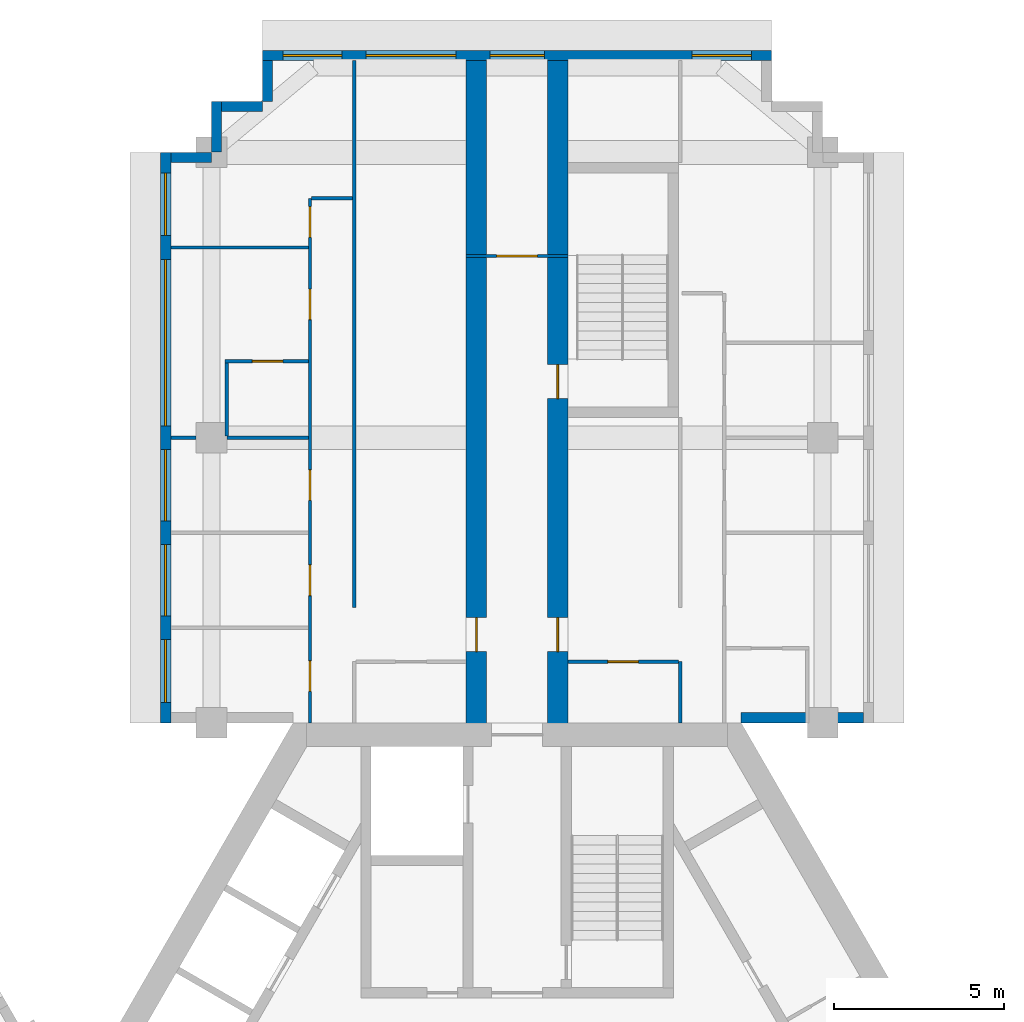
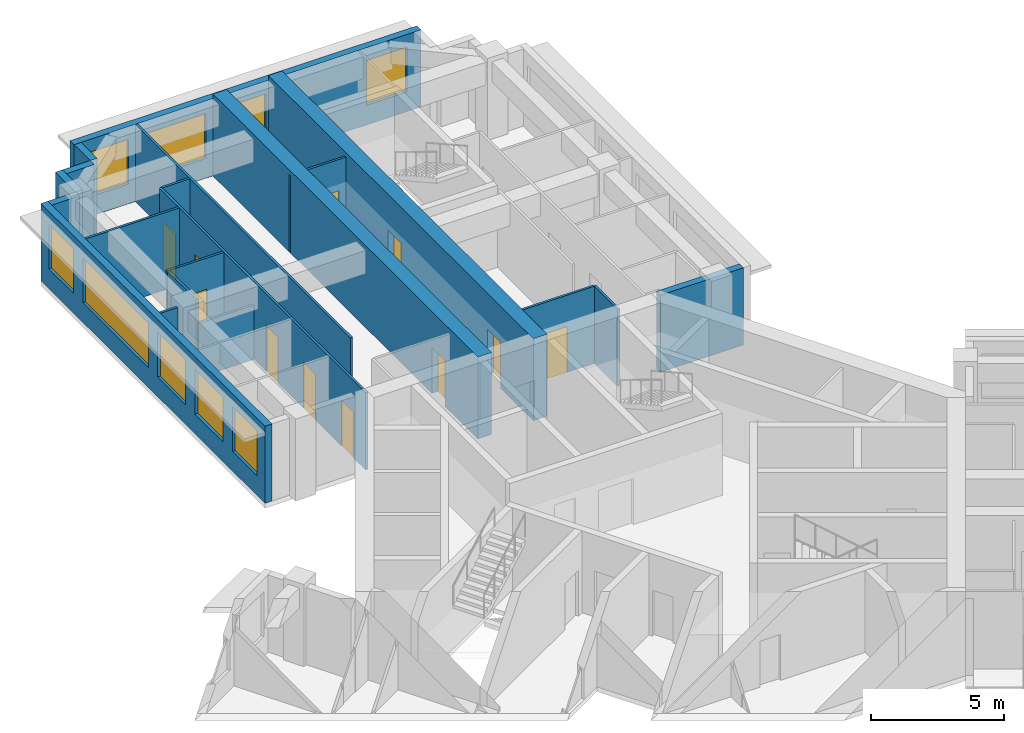
# One storey, part 7 of 10: 20 walls, 11 doors, 9 windows, 20 openings.
"""IFC4 building model written with IfcOpenShell, lengths in metres."""

from ifc_helpers import new_model, si_unit, direction, frame, frame_2d, origin, place, context, subcontext, project, spatial, rectangle, extrude, material, layer, layer_set, type_object, element, fill, save


model = new_model("IFC4")

# Units and contexts
model_context = context("Model", 3, precision=1e-05, world=origin(), true_north=direction((0.0, 1.0)))
body_context = subcontext(model_context, "Body", "Model", "MODEL_VIEW")
ifc_project = project(units=[si_unit("LENGTHUNIT", "METRE"), si_unit("AREAUNIT", "SQUARE_METRE"), si_unit("VOLUMEUNIT", "CUBIC_METRE"), si_unit("PLANEANGLEUNIT", "RADIAN"), si_unit("MASSUNIT", "GRAM", prefix="KILO")], contexts=[model_context])

# Site, building, storey
site_placement = place(None, origin())
site = spatial("IfcSite", under=ifc_project, at=site_placement, CompositionType="ELEMENT")
building_placement = place(site_placement, origin())
building = spatial("IfcBuilding", under=site, at=building_placement, Name="Impinga Residences", CompositionType="ELEMENT")
storey_placement = place(building_placement, frame((0.0, 0.0, 256.0)))
storey = spatial("IfcBuildingStorey", under=building, at=storey_placement, Name="L64", CompositionType="ELEMENT", Elevation=256.0)

# Wall, opening, door
ifc_material_1 = material(Name="Concrete C60/75", Category="concrete")
ifc_layer_1 = layer(ifc_material_1, 0.60009765625)
ifc_layer_set_1 = layer_set([ifc_layer_1], Name="Concrete C60/75")
wall_type_1 = type_object("IfcWallType", Name="BW3 corridor buttress wall, L46 to L73 600", PredefinedType="SHEAR", material=ifc_layer_set_1)
wall_1_placement = place(storey_placement, frame((-1.199951171875, 11.08154296875, 0.0), z_axis=(0.0, 0.0, 1.0), x_axis=(0.0, 1.0, 0.0)))
wall_1 = element("IfcWall", 1, at=wall_1_placement, inside=storey, type_object=wall_type_1, Name="Corridor wall BW3 NC L64", PredefinedType="SHEAR", context=body_context, shape_type="SweptSolid", body=[
    extrude(rectangle(XDim=19.85009765625, YDim=0.60009765625, at=frame_2d((9.925048828125, 0.0))), origin(), (0.0, 0.0, 1.0), 3.75),
])
opening_1_placement = place(wall_1_placement, frame((2.449951171875, 0.0, 0.0)))
opening_1 = element("IfcOpeningElement", 2, at=opening_1_placement, cuts=wall_1, Name="Opening D1", PredefinedType="OPENING", context=body_context, shape_type="SweptSolid", body=[
    extrude(rectangle(XDim=1.0, YDim=2.10009765625, at=frame_2d((0.5, 1.050048828125))), frame((0.0, 0.31005859375, 0.0), z_axis=(0.0, -1.0, 0.0), x_axis=(1.0, 0.0, 0.0)), (0.0, 0.0, 1.0), 0.6201171875),
])
ifc_material_2 = material(Name="Timber door set", Category="wood")
door_type_1 = type_object("IfcDoorType", Name="D1 apartment entrance door 1000x2100", OperationType="SINGLE_SWING_LEFT", PredefinedType="DOOR", material=ifc_material_2)
door_1_placement = place(opening_1_placement, origin())
door_1 = element("IfcDoor", 3, at=door_1_placement, inside=storey, type_object=door_type_1, Name="Apartment L64-NA1 entrance", OperationType="SINGLE_SWING_LEFT", OverallHeight=2.10009765625, OverallWidth=1.0, PredefinedType="DOOR", context=body_context, shape_type="SweptSolid", body=[
    extrude(rectangle(XDim=1.0, YDim=2.10009765625, at=frame_2d((0.5, 1.050048828125))), frame((0.0, 0.02490234375, 0.0), z_axis=(0.0, -1.0, 0.0), x_axis=(1.0, 0.0, 0.0)), (0.0, 0.0, 1.0), 0.050048828125),
])
fill(opening_1, door_1)

# Wall, openings, doors
wall_2_placement = place(storey_placement, frame((1.199951171875, 11.08154296875, 0.0), z_axis=(0.0, 0.0, 1.0), x_axis=(0.0, 1.0, 0.0)))
wall_2 = element("IfcWall", 4, at=wall_2_placement, inside=storey, type_object=wall_type_1, Name="Corridor wall BW3 ND L64", PredefinedType="SHEAR", context=body_context, shape_type="SweptSolid", body=[
    extrude(rectangle(XDim=19.85009765625, YDim=0.60009765625, at=frame_2d((9.925048828125, 0.0))), origin(), (0.0, 0.0, 1.0), 3.75),
])
opening_2_placement = place(wall_2_placement, frame((9.89990234375, 0.0, 0.0)))
opening_2 = element("IfcOpeningElement", 5, at=opening_2_placement, cuts=wall_2, Name="Opening D5", PredefinedType="OPENING", context=body_context, shape_type="SweptSolid", body=[
    extrude(rectangle(XDim=1.0, YDim=2.10009765625, at=frame_2d((0.5, 1.050048828125))), frame((0.0, 0.31005859375, 0.0), z_axis=(0.0, -1.0, 0.0), x_axis=(1.0, 0.0, 0.0)), (0.0, 0.0, 1.0), 0.6201171875),
])
opening_3_placement = place(wall_2_placement, frame((2.449951171875, 0.0, 0.0)))
opening_3 = element("IfcOpeningElement", 6, at=opening_3_placement, cuts=wall_2, Name="Opening D1", PredefinedType="OPENING", context=body_context, shape_type="SweptSolid", body=[
    extrude(rectangle(XDim=1.0, YDim=2.10009765625, at=frame_2d((0.5, 1.050048828125))), frame((0.0, 0.31005859375, 0.0), z_axis=(0.0, -1.0, 0.0), x_axis=(1.0, 0.0, 0.0)), (0.0, 0.0, 1.0), 0.6201171875),
])
door_2_placement = place(opening_3_placement, origin())
door_2 = element("IfcDoor", 7, at=door_2_placement, inside=storey, type_object=door_type_1, Name="Apartment L64-NF1 entrance", OperationType="SINGLE_SWING_LEFT", OverallHeight=2.10009765625, OverallWidth=1.0, PredefinedType="DOOR", context=body_context, shape_type="SweptSolid", body=[
    extrude(rectangle(XDim=1.0, YDim=2.10009765625, at=frame_2d((0.5, 1.050048828125))), frame((0.0, 0.02490234375, 0.0), z_axis=(0.0, -1.0, 0.0), x_axis=(1.0, 0.0, 0.0)), (0.0, 0.0, 1.0), 0.050048828125),
])
fill(opening_3, door_2)
door_type_2 = type_object("IfcDoorType", Name="D5 stair door 1000x2100", OperationType="SINGLE_SWING_LEFT", PredefinedType="DOOR", material=ifc_material_2)
door_3_placement = place(opening_2_placement, origin())
door_3 = element("IfcDoor", 8, at=door_3_placement, inside=storey, type_object=door_type_2, Name="Wing stair door N", OperationType="SINGLE_SWING_RIGHT", OverallHeight=2.10009765625, OverallWidth=1.0, PredefinedType="DOOR", context=body_context, shape_type="SweptSolid", body=[
    extrude(rectangle(XDim=1.0, YDim=2.10009765625, at=frame_2d((0.5, 1.050048828125))), frame((0.0, 0.02490234375, 0.0), z_axis=(0.0, -1.0, 0.0), x_axis=(1.0, 0.0, 0.0)), (0.0, 0.0, 1.0), 0.050048828125),
])
fill(opening_2, door_3)

# Wall, opening, door
ifc_material_3 = material(Name="Concrete blockwork", Category="masonry")
ifc_layer_2 = layer(ifc_material_3, 0.10009765625)
ifc_layer_set_2 = layer_set([ifc_layer_2], Name="CP1 core room partition, blockwork 100")
wall_type_2 = type_object("IfcWallType", Name="CP1 core room partition, blockwork 100", PredefinedType="PARTITIONING", material=ifc_layer_set_2)
wall_3_placement = place(storey_placement, frame((-1.5, 25.181640625, 0.0), z_axis=(0.0, 0.0, 1.0), x_axis=(1.0, 0.0, 0.0)))
wall_3 = element("IfcWall", 9, at=wall_3_placement, inside=storey, type_object=wall_type_2, Name="Core room partition, blockwork L64:N:LNG", PredefinedType="PARTITIONING", context=body_context, shape_type="SweptSolid", body=[
    extrude(rectangle(XDim=3.0, YDim=0.10009765625, at=frame_2d((1.5, 0.0))), origin(), (0.0, 0.0, 1.0), 3.530029296875),
])
opening_4_placement = place(wall_3_placement, frame((0.89990234375, 0.0, 0.0)))
opening_4 = element("IfcOpeningElement", 10, at=opening_4_placement, cuts=wall_3, Name="Opening D3", PredefinedType="OPENING", context=body_context, shape_type="SweptSolid", body=[
    extrude(rectangle(XDim=1.199951171875, YDim=2.10009765625, at=frame_2d((0.60009765625, 1.050048828125))), frame((0.0, 0.06005859375, 0.0), z_axis=(0.0, -1.0, 0.0), x_axis=(1.0, 0.0, 0.0)), (0.0, 0.0, 1.0), 0.1201171875),
])
door_type_3 = type_object("IfcDoorType", Name="D3 room door, leaf and a half 1200x2100", OperationType="DOUBLE_SWING_LEFT", PredefinedType="DOOR", material=ifc_material_2)
door_4_placement = place(opening_4_placement, origin())
door_4 = element("IfcDoor", 11, at=door_4_placement, inside=storey, type_object=door_type_3, Name="Residents' lounge door N", OperationType="DOUBLE_SWING_LEFT", OverallHeight=2.10009765625, OverallWidth=1.199951171875, PredefinedType="DOOR", context=body_context, shape_type="SweptSolid", body=[
    extrude(rectangle(XDim=1.199951171875, YDim=2.10009765625, at=frame_2d((0.60009765625, 1.050048828125))), frame((0.0, 0.02490234375, 0.0), z_axis=(0.0, -1.0, 0.0), x_axis=(1.0, 0.0, 0.0)), (0.0, 0.0, 1.0), 0.050048828125),
])
fill(opening_4, door_4)

# Wall, openings, windows
ifc_material_4 = material(Name="Terracotta rainscreen on blockwork", Category="masonry")
ifc_layer_3 = layer(ifc_material_4, 0.300048828125)
ifc_layer_set_3 = layer_set([ifc_layer_3], Name="EW1 external wall, terracotta rainscreen on blockwork 300")
wall_type_3 = type_object("IfcWallType", Name="EW1 external wall, terracotta rainscreen on blockwork 300", PredefinedType="SOLIDWALL", material=ifc_layer_set_3)
wall_4_placement = place(storey_placement, frame((-10.35009765625, 11.431640625, 0.0), z_axis=(0.0, 0.0, 1.0), x_axis=(0.0, 1.0, 0.0)))
wall_4 = element("IfcWall", 12, at=wall_4_placement, inside=storey, type_object=wall_type_3, Name="External wall EW1 L64", PredefinedType="SOLIDWALL", context=body_context, shape_type="SweptSolid", body=[
    extrude(rectangle(XDim=16.7998046875, YDim=0.300048828125, at=frame_2d((8.39990234375, 0.0))), origin(), (0.0, 0.0, 1.0), 3.530029296875),
])
opening_5_placement = place(wall_4_placement, frame((0.60009765625, 0.0, 0.89990234375)))
opening_5 = element("IfcOpeningElement", 13, at=opening_5_placement, cuts=wall_4, Name="Opening W15", PredefinedType="OPENING", context=body_context, shape_type="SweptSolid", body=[
    extrude(rectangle(XDim=1.85009765625, YDim=2.050048828125, at=frame_2d((0.925048828125, 1.02490234375))), frame((0.0, 0.159912109375, 0.0), z_axis=(0.0, -1.0, 0.0), x_axis=(1.0, 0.0, 0.0)), (0.0, 0.0, 1.0), 0.320068359375),
])
opening_6_placement = place(wall_4_placement, frame((3.14990234375, 0.0, 0.89990234375)))
opening_6 = element("IfcOpeningElement", 14, at=opening_6_placement, cuts=wall_4, Name="Opening W9", PredefinedType="OPENING", context=body_context, shape_type="SweptSolid", body=[
    extrude(rectangle(XDim=2.10009765625, YDim=2.050048828125, at=frame_2d((1.050048828125, 1.02490234375))), frame((0.0, 0.159912109375, 0.0), z_axis=(0.0, -1.0, 0.0), x_axis=(1.0, 0.0, 0.0)), (0.0, 0.0, 1.0), 0.320068359375),
])
opening_7_placement = place(wall_4_placement, frame((5.949951171875, 0.0, 0.89990234375)))
opening_7 = element("IfcOpeningElement", 15, at=opening_7_placement, cuts=wall_4, Name="Opening W9", PredefinedType="OPENING", context=body_context, shape_type="SweptSolid", body=[
    extrude(rectangle(XDim=2.10009765625, YDim=2.050048828125, at=frame_2d((1.050048828125, 1.02490234375))), frame((0.0, 0.159912109375, 0.0), z_axis=(0.0, -1.0, 0.0), x_axis=(1.0, 0.0, 0.0)), (0.0, 0.0, 1.0), 0.320068359375),
])
opening_8_placement = place(wall_4_placement, frame((8.75, 0.0, 0.89990234375)))
opening_8 = element("IfcOpeningElement", 16, at=opening_8_placement, cuts=wall_4, Name="Opening W16", PredefinedType="OPENING", context=body_context, shape_type="SweptSolid", body=[
    extrude(rectangle(XDim=4.89990234375, YDim=2.050048828125, at=frame_2d((2.449951171875, 1.02490234375))), frame((0.0, 0.159912109375, 0.0), z_axis=(0.0, -1.0, 0.0), x_axis=(1.0, 0.0, 0.0)), (0.0, 0.0, 1.0), 0.320068359375),
])
opening_9_placement = place(wall_4_placement, frame((14.35009765625, 0.0, 0.89990234375)))
opening_9 = element("IfcOpeningElement", 17, at=opening_9_placement, cuts=wall_4, Name="Opening W15", PredefinedType="OPENING", context=body_context, shape_type="SweptSolid", body=[
    extrude(rectangle(XDim=1.85009765625, YDim=2.050048828125, at=frame_2d((0.925048828125, 1.02490234375))), frame((0.0, 0.159912109375, 0.0), z_axis=(0.0, -1.0, 0.0), x_axis=(1.0, 0.0, 0.0)), (0.0, 0.0, 1.0), 0.320068359375),
])
ifc_material_5 = material(Name="Aluminium window, clear double glazing", Category="aluminium")
window_type_1 = type_object("IfcWindowType", Name="W15 ribbon window 1850x2050", PartitioningType="SINGLE_PANEL", PredefinedType="WINDOW", material=ifc_material_5)
window_1_placement = place(opening_5_placement, origin())
window_1 = element("IfcWindow", 18, at=window_1_placement, inside=storey, type_object=window_type_1, Name="Window L64", OverallHeight=2.050048828125, OverallWidth=1.85009765625, PartitioningType="SINGLE_PANEL", PredefinedType="WINDOW", context=body_context, shape_type="SweptSolid", body=[
    extrude(rectangle(XDim=1.85009765625, YDim=2.050048828125, at=frame_2d((0.925048828125, 1.02490234375))), frame((0.0, 0.030029296875, 0.0), z_axis=(0.0, -1.0, 0.0), x_axis=(1.0, 0.0, 0.0)), (0.0, 0.0, 1.0), 0.06005859375),
])
fill(opening_5, window_1)
window_2_placement = place(opening_9_placement, origin())
window_2 = element("IfcWindow", 19, at=window_2_placement, inside=storey, type_object=window_type_1, Name="Window L64", OverallHeight=2.050048828125, OverallWidth=1.85009765625, PartitioningType="SINGLE_PANEL", PredefinedType="WINDOW", context=body_context, shape_type="SweptSolid", body=[
    extrude(rectangle(XDim=1.85009765625, YDim=2.050048828125, at=frame_2d((0.925048828125, 1.02490234375))), frame((0.0, 0.030029296875, 0.0), z_axis=(0.0, -1.0, 0.0), x_axis=(1.0, 0.0, 0.0)), (0.0, 0.0, 1.0), 0.06005859375),
])
fill(opening_9, window_2)
window_type_2 = type_object("IfcWindowType", Name="W16 ribbon window 4900x2050", PartitioningType="SINGLE_PANEL", PredefinedType="WINDOW", material=ifc_material_5)
window_3_placement = place(opening_8_placement, origin())
window_3 = element("IfcWindow", 20, at=window_3_placement, inside=storey, type_object=window_type_2, Name="Window L64", OverallHeight=2.050048828125, OverallWidth=4.89990234375, PartitioningType="SINGLE_PANEL", PredefinedType="WINDOW", context=body_context, shape_type="SweptSolid", body=[
    extrude(rectangle(XDim=4.89990234375, YDim=2.050048828125, at=frame_2d((2.449951171875, 1.02490234375))), frame((0.0, 0.030029296875, 0.0), z_axis=(0.0, -1.0, 0.0), x_axis=(1.0, 0.0, 0.0)), (0.0, 0.0, 1.0), 0.06005859375),
])
fill(opening_8, window_3)
window_type_3 = type_object("IfcWindowType", Name="W9 ribbon window 2100x2050", PartitioningType="SINGLE_PANEL", PredefinedType="WINDOW", material=ifc_material_5)
window_4_placement = place(opening_6_placement, origin())
window_4 = element("IfcWindow", 21, at=window_4_placement, inside=storey, type_object=window_type_3, Name="Window L64", OverallHeight=2.050048828125, OverallWidth=2.10009765625, PartitioningType="SINGLE_PANEL", PredefinedType="WINDOW", context=body_context, shape_type="SweptSolid", body=[
    extrude(rectangle(XDim=2.10009765625, YDim=2.050048828125, at=frame_2d((1.050048828125, 1.02490234375))), frame((0.0, 0.030029296875, 0.0), z_axis=(0.0, -1.0, 0.0), x_axis=(1.0, 0.0, 0.0)), (0.0, 0.0, 1.0), 0.06005859375),
])
fill(opening_6, window_4)
window_5_placement = place(opening_7_placement, origin())
window_5 = element("IfcWindow", 22, at=window_5_placement, inside=storey, type_object=window_type_3, Name="Window L64", OverallHeight=2.050048828125, OverallWidth=2.10009765625, PartitioningType="SINGLE_PANEL", PredefinedType="WINDOW", context=body_context, shape_type="SweptSolid", body=[
    extrude(rectangle(XDim=2.10009765625, YDim=2.050048828125, at=frame_2d((1.050048828125, 1.02490234375))), frame((0.0, 0.030029296875, 0.0), z_axis=(0.0, -1.0, 0.0), x_axis=(1.0, 0.0, 0.0)), (0.0, 0.0, 1.0), 0.06005859375),
])
fill(opening_7, window_5)

# Walls
wall_5_placement = place(storey_placement, frame((-10.199951171875, 28.08154296875, 0.0), z_axis=(0.0, 0.0, 1.0), x_axis=(1.0, 0.0, 0.0)))
element("IfcWall", 23, at=wall_5_placement, inside=storey, type_object=wall_type_3, Name="External wall EW1 L64", PredefinedType="SOLIDWALL", context=body_context, shape_type="SweptSolid", body=[
    extrude(rectangle(XDim=1.199951171875, YDim=0.300048828125, at=frame_2d((0.60009765625, 0.0))), origin(), (0.0, 0.0, 1.0), 3.530029296875),
])
wall_6_placement = place(storey_placement, frame((-8.85009765625, 28.236572265625, 0.0), z_axis=(0.0, 0.0, 1.0), x_axis=(0.0, 1.0, 0.0)))
element("IfcWall", 24, at=wall_6_placement, inside=storey, type_object=wall_type_3, Name="External wall EW1 L64", PredefinedType="SOLIDWALL", context=body_context, shape_type="SweptSolid", body=[
    extrude(rectangle(XDim=1.494873046875, YDim=0.300048828125, at=frame_2d((0.74755859375, 0.0))), origin(), (0.0, 0.0, 1.0), 3.530029296875),
])
wall_7_placement = place(storey_placement, frame((-8.699951171875, 29.58154296875, 0.0), z_axis=(0.0, 0.0, 1.0), x_axis=(1.0, 0.0, 0.0)))
element("IfcWall", 25, at=wall_7_placement, inside=storey, type_object=wall_type_3, Name="External wall EW1 L64", PredefinedType="SOLIDWALL", context=body_context, shape_type="SweptSolid", body=[
    extrude(rectangle(XDim=1.199951171875, YDim=0.300048828125, at=frame_2d((0.60009765625, 0.0))), origin(), (0.0, 0.0, 1.0), 3.530029296875),
])
wall_8_placement = place(storey_placement, frame((-7.35009765625, 29.736572265625, 0.0), z_axis=(0.0, 0.0, 1.0), x_axis=(0.0, 1.0, 0.0)))
element("IfcWall", 26, at=wall_8_placement, inside=storey, type_object=wall_type_3, Name="External wall EW1 L64", PredefinedType="SOLIDWALL", context=body_context, shape_type="SweptSolid", body=[
    extrude(rectangle(XDim=1.195068359375, YDim=0.300048828125, at=frame_2d((0.59765625, 0.0))), origin(), (0.0, 0.0, 1.0), 3.530029296875),
])

# Wall, openings, windows
wall_9_placement = place(storey_placement, frame((-7.5, 31.08154296875, 0.0), z_axis=(0.0, 0.0, 1.0), x_axis=(1.0, 0.0, 0.0)))
wall_9 = element("IfcWall", 27, at=wall_9_placement, inside=storey, type_object=wall_type_3, Name="External wall EW1 L64", PredefinedType="SOLIDWALL", context=body_context, shape_type="SweptSolid", body=[
    extrude(rectangle(XDim=15.0, YDim=0.300048828125, at=frame_2d((7.5, 0.0))), origin(), (0.0, 0.0, 1.0), 3.530029296875),
])
opening_10_placement = place(wall_9_placement, frame((0.60009765625, 0.0, 0.89990234375)))
opening_10 = element("IfcOpeningElement", 28, at=opening_10_placement, cuts=wall_9, Name="Opening W1", PredefinedType="OPENING", context=body_context, shape_type="SweptSolid", body=[
    extrude(rectangle(XDim=1.75, YDim=2.050048828125, at=frame_2d((0.875, 1.02490234375))), frame((0.0, 0.159912109375, 0.0), z_axis=(0.0, -1.0, 0.0), x_axis=(1.0, 0.0, 0.0)), (0.0, 0.0, 1.0), 0.320068359375),
])
opening_11_placement = place(wall_9_placement, frame((3.050048828125, 0.0, 0.89990234375)))
opening_11 = element("IfcOpeningElement", 29, at=opening_11_placement, cuts=wall_9, Name="Opening W18", PredefinedType="OPENING", context=body_context, shape_type="SweptSolid", body=[
    extrude(rectangle(XDim=2.64990234375, YDim=2.050048828125, at=frame_2d((1.324951171875, 1.02490234375))), frame((0.0, 0.159912109375, 0.0), z_axis=(0.0, -1.0, 0.0), x_axis=(1.0, 0.0, 0.0)), (0.0, 0.0, 1.0), 0.320068359375),
])
opening_12_placement = place(wall_9_placement, frame((6.699951171875, 0.0, 0.89990234375)))
opening_12 = element("IfcOpeningElement", 30, at=opening_12_placement, cuts=wall_9, Name="Opening W19", PredefinedType="OPENING", context=body_context, shape_type="SweptSolid", body=[
    extrude(rectangle(XDim=1.60009765625, YDim=2.050048828125, at=frame_2d((0.800048828125, 1.02490234375))), frame((0.0, 0.159912109375, 0.0), z_axis=(0.0, -1.0, 0.0), x_axis=(1.0, 0.0, 0.0)), (0.0, 0.0, 1.0), 0.320068359375),
])
opening_13_placement = place(wall_9_placement, frame((12.64990234375, 0.0, 0.89990234375)))
opening_13 = element("IfcOpeningElement", 31, at=opening_13_placement, cuts=wall_9, Name="Opening W1", PredefinedType="OPENING", context=body_context, shape_type="SweptSolid", body=[
    extrude(rectangle(XDim=1.75, YDim=2.050048828125, at=frame_2d((0.875, 1.02490234375))), frame((0.0, 0.159912109375, 0.0), z_axis=(0.0, -1.0, 0.0), x_axis=(1.0, 0.0, 0.0)), (0.0, 0.0, 1.0), 0.320068359375),
])
window_type_4 = type_object("IfcWindowType", Name="W1 ribbon window 1750x2050", PartitioningType="SINGLE_PANEL", PredefinedType="WINDOW", material=ifc_material_5)
window_6_placement = place(opening_10_placement, origin())
window_6 = element("IfcWindow", 32, at=window_6_placement, inside=storey, type_object=window_type_4, Name="Window L64", OverallHeight=2.050048828125, OverallWidth=1.75, PartitioningType="SINGLE_PANEL", PredefinedType="WINDOW", context=body_context, shape_type="SweptSolid", body=[
    extrude(rectangle(XDim=1.75, YDim=2.050048828125, at=frame_2d((0.875, 1.02490234375))), frame((0.0, 0.030029296875, 0.0), z_axis=(0.0, -1.0, 0.0), x_axis=(1.0, 0.0, 0.0)), (0.0, 0.0, 1.0), 0.06005859375),
])
fill(opening_10, window_6)
window_7_placement = place(opening_13_placement, origin())
window_7 = element("IfcWindow", 33, at=window_7_placement, inside=storey, type_object=window_type_4, Name="Window L64", OverallHeight=2.050048828125, OverallWidth=1.75, PartitioningType="SINGLE_PANEL", PredefinedType="WINDOW", context=body_context, shape_type="SweptSolid", body=[
    extrude(rectangle(XDim=1.75, YDim=2.050048828125, at=frame_2d((0.875, 1.02490234375))), frame((0.0, 0.030029296875, 0.0), z_axis=(0.0, -1.0, 0.0), x_axis=(1.0, 0.0, 0.0)), (0.0, 0.0, 1.0), 0.06005859375),
])
fill(opening_13, window_7)
window_type_5 = type_object("IfcWindowType", Name="W18 ribbon window 2650x2050", PartitioningType="SINGLE_PANEL", PredefinedType="WINDOW", material=ifc_material_5)
window_8_placement = place(opening_11_placement, origin())
window_8 = element("IfcWindow", 34, at=window_8_placement, inside=storey, type_object=window_type_5, Name="Window L64", OverallHeight=2.050048828125, OverallWidth=2.64990234375, PartitioningType="SINGLE_PANEL", PredefinedType="WINDOW", context=body_context, shape_type="SweptSolid", body=[
    extrude(rectangle(XDim=2.64990234375, YDim=2.050048828125, at=frame_2d((1.324951171875, 1.02490234375))), frame((0.0, 0.030029296875, 0.0), z_axis=(0.0, -1.0, 0.0), x_axis=(1.0, 0.0, 0.0)), (0.0, 0.0, 1.0), 0.06005859375),
])
fill(opening_11, window_8)
window_type_6 = type_object("IfcWindowType", Name="W19 ribbon window 1600x2050", PartitioningType="SINGLE_PANEL", PredefinedType="WINDOW", material=ifc_material_5)
window_9_placement = place(opening_12_placement, origin())
window_9 = element("IfcWindow", 35, at=window_9_placement, inside=storey, type_object=window_type_6, Name="Window L64", OverallHeight=2.050048828125, OverallWidth=1.60009765625, PartitioningType="SINGLE_PANEL", PredefinedType="WINDOW", context=body_context, shape_type="SweptSolid", body=[
    extrude(rectangle(XDim=1.60009765625, YDim=2.050048828125, at=frame_2d((0.800048828125, 1.02490234375))), frame((0.0, 0.030029296875, 0.0), z_axis=(0.0, -1.0, 0.0), x_axis=(1.0, 0.0, 0.0)), (0.0, 0.0, 1.0), 0.06005859375),
])
fill(opening_12, window_9)

# Walls
wall_10_placement = place(storey_placement, frame((10.199951171875, 11.58154296875, 0.0), z_axis=(0.0, 0.0, 1.0), x_axis=(-1.0, 0.0, 0.0)))
element("IfcWall", 36, at=wall_10_placement, inside=storey, type_object=wall_type_3, Name="External wall EW1 L64", PredefinedType="SOLIDWALL", context=body_context, shape_type="SweptSolid", body=[
    extrude(rectangle(XDim=3.599853515625, YDim=0.300048828125, at=frame_2d((1.7998046875, 0.0))), origin(), (0.0, 0.0, 1.0), 3.530029296875),
])
ifc_material_6 = material(Name="Gypsum board on steel studs", Category="steel")
ifc_layer_4 = layer(ifc_material_6, 0.10009765625)
ifc_layer_set_4 = layer_set([ifc_layer_4], Name="Gypsum board on steel studs")
wall_type_4 = type_object("IfcWallType", Name="IP1 partition 100", PredefinedType="PARTITIONING", material=ifc_layer_set_4)
wall_11_placement = place(storey_placement, frame((-4.800048828125, 14.83154296875, 0.0), z_axis=(0.0, 0.0, 1.0), x_axis=(0.0, 1.0, 0.0)))
element("IfcWall", 37, at=wall_11_placement, inside=storey, type_object=wall_type_4, Name="Partition L64-NA1:DIV1", PredefinedType="PARTITIONING", context=body_context, shape_type="SweptSolid", body=[
    extrude(rectangle(XDim=16.10009765625, YDim=0.10009765625, at=frame_2d((8.050048828125, 0.0))), origin(), (0.0, 0.0, 1.0), 3.530029296875),
])

# Wall, openings, doors
wall_12_placement = place(storey_placement, frame((-6.10009765625, 11.431640625, 0.0), z_axis=(0.0, 0.0, 1.0), x_axis=(0.0, 1.0, 0.0)))
wall_12 = element("IfcWall", 38, at=wall_12_placement, inside=storey, type_object=wall_type_4, Name="Partition L64-NA1:STRIP", PredefinedType="PARTITIONING", context=body_context, shape_type="SweptSolid", body=[
    extrude(rectangle(XDim=15.449951171875, YDim=0.10009765625, at=frame_2d((7.72509765625, 0.0))), origin(), (0.0, 0.0, 1.0), 3.530029296875),
])
opening_14_placement = place(wall_12_placement, frame((0.925048828125, 0.0, 0.0)))
opening_14 = element("IfcOpeningElement", 39, at=opening_14_placement, cuts=wall_12, Name="Opening D2", PredefinedType="OPENING", context=body_context, shape_type="SweptSolid", body=[
    extrude(rectangle(XDim=0.89990234375, YDim=2.10009765625, at=frame_2d((0.449951171875, 1.050048828125))), frame((0.0, 0.06005859375, 0.0), z_axis=(0.0, -1.0, 0.0), x_axis=(1.0, 0.0, 0.0)), (0.0, 0.0, 1.0), 0.1201171875),
])
opening_15_placement = place(wall_12_placement, frame((3.75, 0.0, 0.0)))
opening_15 = element("IfcOpeningElement", 40, at=opening_15_placement, cuts=wall_12, Name="Opening D2", PredefinedType="OPENING", context=body_context, shape_type="SweptSolid", body=[
    extrude(rectangle(XDim=0.89990234375, YDim=2.10009765625, at=frame_2d((0.449951171875, 1.050048828125))), frame((0.0, 0.06005859375, 0.0), z_axis=(0.0, -1.0, 0.0), x_axis=(1.0, 0.0, 0.0)), (0.0, 0.0, 1.0), 0.1201171875),
])
opening_16_placement = place(wall_12_placement, frame((6.550048828125, 0.0, 0.0)))
opening_16 = element("IfcOpeningElement", 41, at=opening_16_placement, cuts=wall_12, Name="Opening D2", PredefinedType="OPENING", context=body_context, shape_type="SweptSolid", body=[
    extrude(rectangle(XDim=0.89990234375, YDim=2.10009765625, at=frame_2d((0.449951171875, 1.050048828125))), frame((0.0, 0.06005859375, 0.0), z_axis=(0.0, -1.0, 0.0), x_axis=(1.0, 0.0, 0.0)), (0.0, 0.0, 1.0), 0.1201171875),
])
opening_17_placement = place(wall_12_placement, frame((11.875, 0.0, 0.0)))
opening_17 = element("IfcOpeningElement", 42, at=opening_17_placement, cuts=wall_12, Name="Opening D2", PredefinedType="OPENING", context=body_context, shape_type="SweptSolid", body=[
    extrude(rectangle(XDim=0.89990234375, YDim=2.10009765625, at=frame_2d((0.449951171875, 1.050048828125))), frame((0.0, 0.06005859375, 0.0), z_axis=(0.0, -1.0, 0.0), x_axis=(1.0, 0.0, 0.0)), (0.0, 0.0, 1.0), 0.1201171875),
])
opening_18_placement = place(wall_12_placement, frame((14.300048828125, 0.0, 0.0)))
opening_18 = element("IfcOpeningElement", 43, at=opening_18_placement, cuts=wall_12, Name="Opening D2", PredefinedType="OPENING", context=body_context, shape_type="SweptSolid", body=[
    extrude(rectangle(XDim=0.89990234375, YDim=2.10009765625, at=frame_2d((0.449951171875, 1.050048828125))), frame((0.0, 0.06005859375, 0.0), z_axis=(0.0, -1.0, 0.0), x_axis=(1.0, 0.0, 0.0)), (0.0, 0.0, 1.0), 0.1201171875),
])
door_type_4 = type_object("IfcDoorType", Name="D2 internal door 900x2100", OperationType="SINGLE_SWING_LEFT", PredefinedType="DOOR", material=ifc_material_2)
door_5_placement = place(opening_14_placement, origin())
door_5 = element("IfcDoor", 44, at=door_5_placement, inside=storey, type_object=door_type_4, Name="Apartment L64-NA1 room door", OperationType="SINGLE_SWING_LEFT", OverallHeight=2.10009765625, OverallWidth=0.89990234375, PredefinedType="DOOR", context=body_context, shape_type="SweptSolid", body=[
    extrude(rectangle(XDim=0.89990234375, YDim=2.10009765625, at=frame_2d((0.449951171875, 1.050048828125))), frame((0.0, 0.02490234375, 0.0), z_axis=(0.0, -1.0, 0.0), x_axis=(1.0, 0.0, 0.0)), (0.0, 0.0, 1.0), 0.050048828125),
])
fill(opening_14, door_5)
door_6_placement = place(opening_15_placement, origin())
door_6 = element("IfcDoor", 45, at=door_6_placement, inside=storey, type_object=door_type_4, Name="Apartment L64-NA1 room door", OperationType="SINGLE_SWING_LEFT", OverallHeight=2.10009765625, OverallWidth=0.89990234375, PredefinedType="DOOR", context=body_context, shape_type="SweptSolid", body=[
    extrude(rectangle(XDim=0.89990234375, YDim=2.10009765625, at=frame_2d((0.449951171875, 1.050048828125))), frame((0.0, 0.02490234375, 0.0), z_axis=(0.0, -1.0, 0.0), x_axis=(1.0, 0.0, 0.0)), (0.0, 0.0, 1.0), 0.050048828125),
])
fill(opening_15, door_6)
door_7_placement = place(opening_16_placement, origin())
door_7 = element("IfcDoor", 46, at=door_7_placement, inside=storey, type_object=door_type_4, Name="Apartment L64-NA1 room door", OperationType="SINGLE_SWING_LEFT", OverallHeight=2.10009765625, OverallWidth=0.89990234375, PredefinedType="DOOR", context=body_context, shape_type="SweptSolid", body=[
    extrude(rectangle(XDim=0.89990234375, YDim=2.10009765625, at=frame_2d((0.449951171875, 1.050048828125))), frame((0.0, 0.02490234375, 0.0), z_axis=(0.0, -1.0, 0.0), x_axis=(1.0, 0.0, 0.0)), (0.0, 0.0, 1.0), 0.050048828125),
])
fill(opening_16, door_7)
door_8_placement = place(opening_17_placement, origin())
door_8 = element("IfcDoor", 47, at=door_8_placement, inside=storey, type_object=door_type_4, Name="Apartment L64-NA1 room door", OperationType="SINGLE_SWING_RIGHT", OverallHeight=2.10009765625, OverallWidth=0.89990234375, PredefinedType="DOOR", context=body_context, shape_type="SweptSolid", body=[
    extrude(rectangle(XDim=0.89990234375, YDim=2.10009765625, at=frame_2d((0.449951171875, 1.050048828125))), frame((0.0, 0.02490234375, 0.0), z_axis=(0.0, -1.0, 0.0), x_axis=(1.0, 0.0, 0.0)), (0.0, 0.0, 1.0), 0.050048828125),
])
fill(opening_17, door_8)
door_9_placement = place(opening_18_placement, origin())
door_9 = element("IfcDoor", 48, at=door_9_placement, inside=storey, type_object=door_type_4, Name="Apartment L64-NA1 room door", OperationType="SINGLE_SWING_RIGHT", OverallHeight=2.10009765625, OverallWidth=0.89990234375, PredefinedType="DOOR", context=body_context, shape_type="SweptSolid", body=[
    extrude(rectangle(XDim=0.89990234375, YDim=2.10009765625, at=frame_2d((0.449951171875, 1.050048828125))), frame((0.0, 0.02490234375, 0.0), z_axis=(0.0, -1.0, 0.0), x_axis=(1.0, 0.0, 0.0)), (0.0, 0.0, 1.0), 0.050048828125),
])
fill(opening_18, door_9)

# Walls
wall_13_placement = place(storey_placement, frame((-4.85009765625, 26.881591796875, 0.0), z_axis=(0.0, 0.0, 1.0), x_axis=(-1.0, 0.0, 0.0)))
element("IfcWall", 49, at=wall_13_placement, inside=storey, type_object=wall_type_4, Name="Partition L64-NA1:SE1", PredefinedType="PARTITIONING", context=body_context, shape_type="SweptSolid", body=[
    extrude(rectangle(XDim=1.199951171875, YDim=0.10009765625, at=frame_2d((0.60009765625, 0.0))), origin(), (0.0, 0.0, 1.0), 3.530029296875),
])
wall_14_placement = place(storey_placement, frame((-6.14990234375, 19.83154296875, 0.0), z_axis=(0.0, 0.0, 1.0), x_axis=(-1.0, 0.0, 0.0)))
element("IfcWall", 50, at=wall_14_placement, inside=storey, type_object=wall_type_4, Name="Partition L64-NA1:OB3", PredefinedType="PARTITIONING", context=body_context, shape_type="SweptSolid", body=[
    extrude(rectangle(XDim=2.400146484375, YDim=0.10009765625, at=frame_2d((1.2001953125, 0.0))), origin(), (0.0, 0.0, 1.0), 2.47998046875),
])
wall_15_placement = place(storey_placement, frame((-9.449951171875, 19.83154296875, 0.0), z_axis=(0.0, 0.0, 1.0), x_axis=(-1.0, 0.0, 0.0)))
element("IfcWall", 51, at=wall_15_placement, inside=storey, type_object=wall_type_4, Name="Partition L64-NA1:OB3b", PredefinedType="PARTITIONING", context=body_context, shape_type="SweptSolid", body=[
    extrude(rectangle(XDim=0.75, YDim=0.10009765625, at=frame_2d((0.375, 0.0))), origin(), (0.0, 0.0, 1.0), 3.530029296875),
])
wall_16_placement = place(storey_placement, frame((-6.14990234375, 25.431640625, 0.0), z_axis=(0.0, 0.0, 1.0), x_axis=(-1.0, 0.0, 0.0)))
element("IfcWall", 52, at=wall_16_placement, inside=storey, type_object=wall_type_4, Name="Partition L64-NA1:OB4", PredefinedType="PARTITIONING", context=body_context, shape_type="SweptSolid", body=[
    extrude(rectangle(XDim=4.050048828125, YDim=0.10009765625, at=frame_2d((2.02490234375, 0.0))), origin(), (0.0, 0.0, 1.0), 3.530029296875),
])

# Wall, opening, door
wall_17_placement = place(storey_placement, frame((-6.14990234375, 22.08154296875, 0.0), z_axis=(0.0, 0.0, 1.0), x_axis=(-1.0, 0.0, 0.0)))
wall_17 = element("IfcWall", 53, at=wall_17_placement, inside=storey, type_object=wall_type_4, Name="Partition L64-NA1:EN1", PredefinedType="PARTITIONING", context=body_context, shape_type="SweptSolid", body=[
    extrude(rectangle(XDim=2.4501953125, YDim=0.10009765625, at=frame_2d((1.22509765625, 0.0))), origin(), (0.0, 0.0, 1.0), 3.530029296875),
])
opening_19_placement = place(wall_17_placement, frame((0.75, 0.0, 0.0)))
opening_19 = element("IfcOpeningElement", 54, at=opening_19_placement, cuts=wall_17, Name="Opening D2", PredefinedType="OPENING", context=body_context, shape_type="SweptSolid", body=[
    extrude(rectangle(XDim=0.89990234375, YDim=2.10009765625, at=frame_2d((0.449951171875, 1.050048828125))), frame((0.0, 0.06005859375, 0.0), z_axis=(0.0, -1.0, 0.0), x_axis=(1.0, 0.0, 0.0)), (0.0, 0.0, 1.0), 0.1201171875),
])
door_10_placement = place(opening_19_placement, origin())
door_10 = element("IfcDoor", 55, at=door_10_placement, inside=storey, type_object=door_type_4, Name="Apartment L64-NA1 en-suite door", OperationType="SINGLE_SWING_LEFT", OverallHeight=2.10009765625, OverallWidth=0.89990234375, PredefinedType="DOOR", context=body_context, shape_type="SweptSolid", body=[
    extrude(rectangle(XDim=0.89990234375, YDim=2.10009765625, at=frame_2d((0.449951171875, 1.050048828125))), frame((0.0, 0.02490234375, 0.0), z_axis=(0.0, -1.0, 0.0), x_axis=(1.0, 0.0, 0.0)), (0.0, 0.0, 1.0), 0.050048828125),
])
fill(opening_19, door_10)

# Walls
wall_18_placement = place(storey_placement, frame((-8.550048828125, 19.881591796875, 0.0), z_axis=(0.0, 0.0, 1.0), x_axis=(0.0, 1.0, 0.0)))
element("IfcWall", 56, at=wall_18_placement, inside=storey, type_object=wall_type_4, Name="Partition L64-NA1:EN2", PredefinedType="PARTITIONING", context=body_context, shape_type="SweptSolid", body=[
    extrude(rectangle(XDim=2.14990234375, YDim=0.10009765625, at=frame_2d((1.074951171875, 0.0))), origin(), (0.0, 0.0, 1.0), 3.530029296875),
])
wall_19_placement = place(storey_placement, frame((4.800048828125, 11.431640625, 0.0), z_axis=(0.0, 0.0, 1.0), x_axis=(0.0, 1.0, 0.0)))
element("IfcWall", 57, at=wall_19_placement, inside=storey, type_object=wall_type_4, Name="Partition L64-NF1:DIV0", PredefinedType="PARTITIONING", context=body_context, shape_type="SweptSolid", body=[
    extrude(rectangle(XDim=1.7998046875, YDim=0.10009765625, at=frame_2d((0.89990234375, 0.0))), origin(), (0.0, 0.0, 1.0), 3.530029296875),
])

# Wall, opening, door
wall_20_placement = place(storey_placement, frame((1.5, 13.2314453125, 0.0), z_axis=(0.0, 0.0, 1.0), x_axis=(1.0, 0.0, 0.0)))
wall_20 = element("IfcWall", 58, at=wall_20_placement, inside=storey, type_object=wall_type_4, Name="Partition L64-NF1:IB1", PredefinedType="PARTITIONING", context=body_context, shape_type="SweptSolid", body=[
    extrude(rectangle(XDim=3.25, YDim=0.10009765625, at=frame_2d((1.625, 0.0))), origin(), (0.0, 0.0, 1.0), 3.530029296875),
])
opening_20_placement = place(wall_20_placement, frame((1.175048828125, 0.0, 0.0)))
opening_20 = element("IfcOpeningElement", 59, at=opening_20_placement, cuts=wall_20, Name="Opening D2", PredefinedType="OPENING", context=body_context, shape_type="SweptSolid", body=[
    extrude(rectangle(XDim=0.89990234375, YDim=2.10009765625, at=frame_2d((0.449951171875, 1.050048828125))), frame((0.0, 0.06005859375, 0.0), z_axis=(0.0, -1.0, 0.0), x_axis=(1.0, 0.0, 0.0)), (0.0, 0.0, 1.0), 0.1201171875),
])
door_11_placement = place(opening_20_placement, origin())
door_11 = element("IfcDoor", 60, at=door_11_placement, inside=storey, type_object=door_type_4, Name="Apartment L64-NF1 bathroom door", OperationType="SINGLE_SWING_LEFT", OverallHeight=2.10009765625, OverallWidth=0.89990234375, PredefinedType="DOOR", context=body_context, shape_type="SweptSolid", body=[
    extrude(rectangle(XDim=0.89990234375, YDim=2.10009765625, at=frame_2d((0.449951171875, 1.050048828125))), frame((0.0, 0.02490234375, 0.0), z_axis=(0.0, -1.0, 0.0), x_axis=(1.0, 0.0, 0.0)), (0.0, 0.0, 1.0), 0.050048828125),
])
fill(opening_20, door_11)

save(model, "model.ifc")
